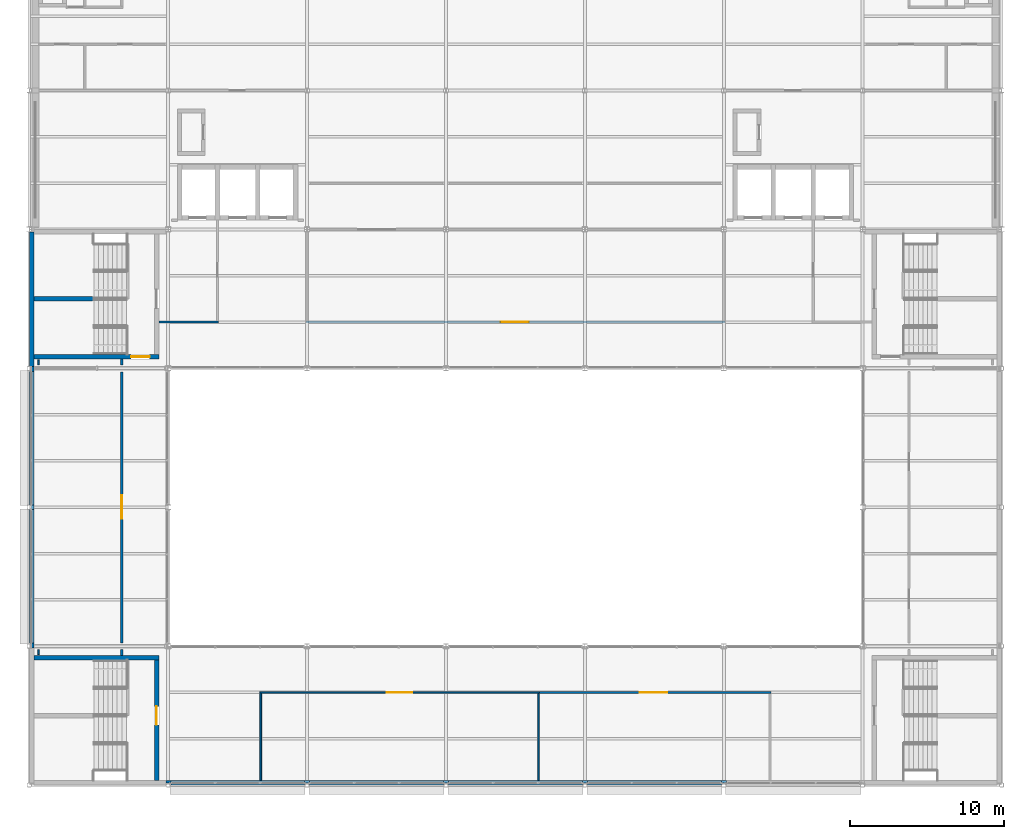
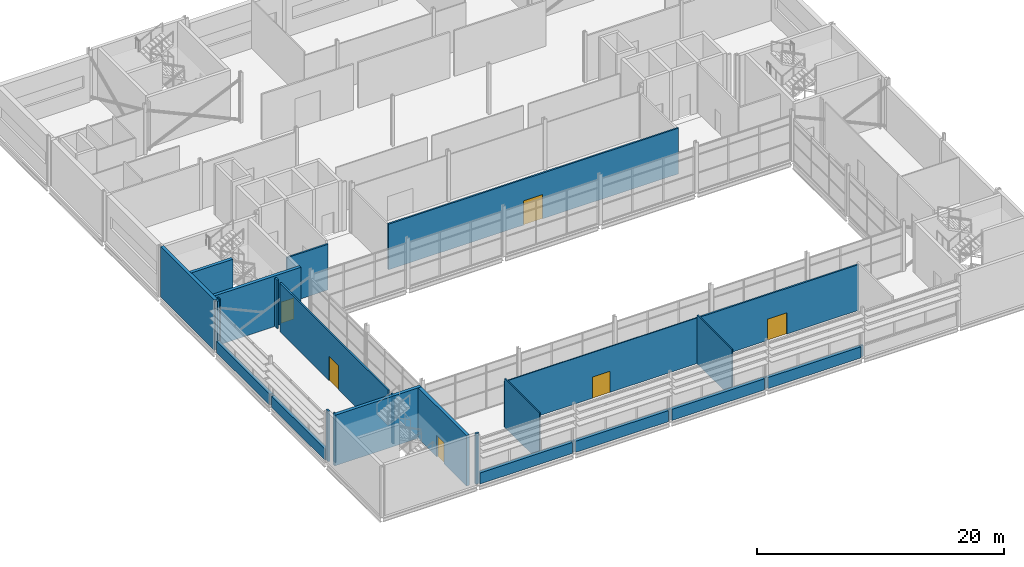
# One storey, part 48 of 61: 30 walls, 6 doors, 6 openings.
"""IFC4 building model written with IfcOpenShell, lengths in metres."""

from ifc_helpers import new_model, si_unit, direction, frame, frame_2d, origin, place, context, subcontext, project, spatial, rectangle, extrude, material, layer, layer_set, type_object, element, fill, save


model = new_model("IFC4")

# Units and contexts
model_context = context("Model", 3, precision=1e-05, world=origin(), true_north=direction((0.0, 1.0)))
body_context = subcontext(model_context, "Body", "Model", "MODEL_VIEW")
ifc_project = project(units=[si_unit("LENGTHUNIT", "METRE"), si_unit("AREAUNIT", "SQUARE_METRE"), si_unit("VOLUMEUNIT", "CUBIC_METRE"), si_unit("PLANEANGLEUNIT", "RADIAN"), si_unit("MASSUNIT", "GRAM", prefix="KILO")], contexts=[model_context])

# Site, building, storey
site_placement = place(None, origin())
site = spatial("IfcSite", under=ifc_project, at=site_placement, CompositionType="ELEMENT")
building_placement = place(site_placement, origin())
building = spatial("IfcBuilding", under=site, at=building_placement, Name="Shorebreak Coast Museum", CompositionType="ELEMENT")
storey_placement = place(building_placement, frame((0.0, 0.0, 26.0)))
storey = spatial("IfcBuildingStorey", under=building, at=storey_placement, Name="L04", CompositionType="ELEMENT", Elevation=26.0)

# Walls
ifc_material_1 = material(Name="Concrete N50 (50 MPa)", Category="concrete")
ifc_layer_1 = layer(ifc_material_1, 0.175048828125)
ifc_layer_set_1 = layer_set([ifc_layer_1], Name="Concrete N50 (50 MPa)")
wall_type_1 = type_object("IfcWallType", Name="Column closure panel 175", PredefinedType="SOLIDWALL", material=ifc_layer_set_1)
wall_1_placement = place(storey_placement, frame((62.875, 54.21240234375, 0.0), z_axis=(0.0, 0.0, 1.0), x_axis=(1.0, 0.0, 0.0)))
element("IfcWall", 1, at=wall_1_placement, inside=storey, type_object=wall_type_1, Name="Column closure panel L04 S 8G", PredefinedType="SOLIDWALL", context=body_context, shape_type="SweptSolid", body=[
    extrude(rectangle(XDim=0.322021484375, YDim=0.175048828125, at=frame_2d((0.1611328125, 0.0))), origin(), (0.0, 0.0, 1.0), 5.0),
])
for number, where, z_axis, x_axis, name in (
    (2, (71.839111328125, 54.21240234375, 0.0), (0.0, 0.0, 1.0), (1.0, 0.0, 0.0), "Column closure panel L04 S 9G"),
    (3, (80.839111328125, 54.21240234375, 0.0), (0.0, 0.0, 1.0), (1.0, 0.0, 0.0), "Column closure panel L04 S 10G"),
    (4, (89.839111328125, 54.21240234375, 0.0), (0.0, 0.0, 1.0), (1.0, 0.0, 0.0), "Column closure panel L04 S 11G"),
    (5, (98.839111328125, 54.21240234375, 0.0), (0.0, 0.0, 1.0), (1.0, 0.0, 0.0), "Column closure panel L04 S 12G"),
):
    element("IfcWall", number, at=place(storey_placement, frame(where, z_axis=z_axis, x_axis=x_axis)), inside=storey, type_object=wall_type_1, Name=name, PredefinedType="SOLIDWALL", context=body_context, shape_type="SweptSolid", body=[
        extrude(rectangle(XDim=0.32177734375, YDim=0.175048828125, at=frame_2d((0.160888671875, 0.0))), origin(), (0.0, 0.0, 1.0), 1.10009765625),
    ])
wall_2_placement = place(storey_placement, frame((54.21240234375, 62.875, 0.0), z_axis=(0.0, 0.0, 1.0), x_axis=(0.0, 1.0, 0.0)))
element("IfcWall", 6, at=wall_2_placement, inside=storey, type_object=wall_type_1, Name="Column closure panel L04 W 7H", PredefinedType="SOLIDWALL", context=body_context, shape_type="SweptSolid", body=[
    extrude(rectangle(XDim=0.322021484375, YDim=0.175048828125, at=frame_2d((0.1611328125, 0.0))), origin(), (0.0, 0.0, 1.0), 5.0),
])
wall_3_placement = place(storey_placement, frame((54.21240234375, 71.839111328125, 0.0), z_axis=(0.0, 0.0, 1.0), x_axis=(0.0, 1.0, 0.0)))
element("IfcWall", 7, at=wall_3_placement, inside=storey, type_object=wall_type_1, Name="Column closure panel L04 W 7J", PredefinedType="SOLIDWALL", context=body_context, shape_type="SweptSolid", body=[
    extrude(rectangle(XDim=0.32177734375, YDim=0.175048828125, at=frame_2d((0.160888671875, 0.0))), origin(), (0.0, 0.0, 1.0), 1.10009765625),
])
wall_4_placement = place(storey_placement, frame((54.21240234375, 80.802978515625, 0.0), z_axis=(0.0, 0.0, 1.0), x_axis=(0.0, 1.0, 0.0)))
element("IfcWall", 8, at=wall_4_placement, inside=storey, type_object=wall_type_1, Name="Column closure panel L04 W 7K", PredefinedType="SOLIDWALL", context=body_context, shape_type="SweptSolid", body=[
    extrude(rectangle(XDim=0.322021484375, YDim=0.175048828125, at=frame_2d((0.1611328125, 0.0))), origin(), (0.0, 0.0, 1.0), 5.0),
])

# Wall, opening, door
ifc_material_2 = material(Name="Plasterboard on steel stud", Category="steel")
ifc_layer_2 = layer(ifc_material_2, 0.14990234375)
ifc_layer_set_2 = layer_set([ifc_layer_2], Name="Plasterboard on steel stud")
wall_type_2 = type_object("IfcWallType", Name="Fire partition 150", PredefinedType="PARTITIONING", material=ifc_layer_set_2)
wall_5_placement = place(storey_placement, frame((86.949951171875, 60.0, 0.0), z_axis=(0.0, 0.0, 1.0), x_axis=(1.0, 0.0, 0.0)))
wall_5 = element("IfcWall", 9, at=wall_5_placement, inside=storey, type_object=wall_type_2, Name="Partition L04-002", PredefinedType="PARTITIONING", context=body_context, shape_type="SweptSolid", body=[
    extrude(rectangle(XDim=15.125, YDim=0.14990234375, at=frame_2d((7.5625, 0.0))), origin(), (0.0, 0.0, 1.0), 4.52099609375),
])
opening_1_placement = place(wall_5_placement, frame((6.60009765625, 0.0, 0.0)))
opening_1 = element("IfcOpeningElement", 10, at=opening_1_placement, cuts=wall_5, Name="Opening D4004", PredefinedType="OPENING", context=body_context, shape_type="SweptSolid", body=[
    extrude(rectangle(XDim=1.800048828125, YDim=2.10009765625, at=frame_2d((0.89990234375, 1.050048828125))), frame((0.0, 0.0849609375, 0.0), z_axis=(0.0, -1.0, 0.0), x_axis=(1.0, 0.0, 0.0)), (0.0, 0.0, 1.0), 0.169921875),
])
ifc_material_3 = material(Name="Steel", Category="steel")
door_type_1 = type_object("IfcDoorType", Name="Fire door 1800x2100 60", OperationType="DOUBLE_DOOR_SINGLE_SWING", PredefinedType="DOOR", material=ifc_material_3)
door_1_placement = place(opening_1_placement, origin())
door_1 = element("IfcDoor", 11, at=door_1_placement, inside=storey, type_object=door_type_1, Name="Door D4004 Conservation Laboratory Viewing Room", OperationType="DOUBLE_DOOR_SINGLE_SWING", OverallHeight=2.10009765625, OverallWidth=1.800048828125, PredefinedType="DOOR", context=body_context, shape_type="SweptSolid", body=[
    extrude(rectangle(XDim=1.800048828125, YDim=2.10009765625, at=frame_2d((0.89990234375, 1.050048828125))), frame((0.0, 0.02490234375, 0.0), z_axis=(0.0, -1.0, 0.0), x_axis=(1.0, 0.0, 0.0)), (0.0, 0.0, 1.0), 0.050048828125),
])
fill(opening_1, door_1)

# Wall
wall_6_placement = place(storey_placement, frame((62.39990234375, 84.0, 0.0), z_axis=(0.0, 0.0, 1.0), x_axis=(1.0, 0.0, 0.0)))
element("IfcWall", 12, at=wall_6_placement, inside=storey, type_object=wall_type_2, Name="Partition L04-004", PredefinedType="PARTITIONING", context=body_context, shape_type="SweptSolid", body=[
    extrude(rectangle(XDim=3.875, YDim=0.14990234375, at=frame_2d((1.9375, 0.0))), origin(), (0.0, 0.0, 1.0), 4.52099609375),
])

# Wall, opening, door
wall_7_placement = place(storey_placement, frame((71.925048828125, 84.0, 0.0), z_axis=(0.0, 0.0, 1.0), x_axis=(1.0, 0.0, 0.0)))
wall_7 = element("IfcWall", 13, at=wall_7_placement, inside=storey, type_object=wall_type_2, Name="Partition L04-005", PredefinedType="PARTITIONING", context=body_context, shape_type="SweptSolid", body=[
    extrude(rectangle(XDim=27.14990234375, YDim=0.14990234375, at=frame_2d((13.574951171875, 0.0))), origin(), (0.0, 0.0, 1.0), 4.52099609375),
])
opening_2_placement = place(wall_7_placement, frame((12.625, 0.0, 0.0)))
opening_2 = element("IfcOpeningElement", 14, at=opening_2_placement, cuts=wall_7, Name="Opening D4005", PredefinedType="OPENING", context=body_context, shape_type="SweptSolid", body=[
    extrude(rectangle(XDim=1.800048828125, YDim=2.39990234375, at=frame_2d((0.89990234375, 1.199951171875))), frame((0.0, 0.0849609375, 0.0), z_axis=(0.0, -1.0, 0.0), x_axis=(1.0, 0.0, 0.0)), (0.0, 0.0, 1.0), 0.169921875),
])
ifc_material_4 = material(Name="Steel", Category="steel")
door_type_2 = type_object("IfcDoorType", Name="Fire door 1800x2400 60", OperationType="DOUBLE_DOOR_SINGLE_SWING", PredefinedType="DOOR", material=ifc_material_4)
door_2_placement = place(opening_2_placement, origin())
door_2 = element("IfcDoor", 15, at=door_2_placement, inside=storey, type_object=door_type_2, Name="Door D4005 Permanent Gallery 4.01", OperationType="DOUBLE_DOOR_SINGLE_SWING", OverallHeight=2.39990234375, OverallWidth=1.800048828125, PredefinedType="DOOR", context=body_context, shape_type="SweptSolid", body=[
    extrude(rectangle(XDim=1.800048828125, YDim=2.39990234375, at=frame_2d((0.89990234375, 1.199951171875))), frame((0.0, 0.02490234375, 0.0), z_axis=(0.0, -1.0, 0.0), x_axis=(1.0, 0.0, 0.0)), (0.0, 0.0, 1.0), 0.050048828125),
])
fill(opening_2, door_2)

# Wall
wall_8_placement = place(storey_placement, frame((60.0, 62.39990234375, 0.0), z_axis=(0.0, 0.0, 1.0), x_axis=(0.0, 1.0, 0.0)))
element("IfcWall", 16, at=wall_8_placement, inside=storey, type_object=wall_type_2, Name="Partition L04-037", PredefinedType="PARTITIONING", context=body_context, shape_type="SweptSolid", body=[
    extrude(rectangle(XDim=0.380126953125, YDim=0.14990234375, at=frame_2d((0.18994140625, 0.0))), origin(), (0.0, 0.0, 1.0), 4.824951171875),
])

# Wall, opening, door
wall_9_placement = place(storey_placement, frame((60.0, 63.219970703125, 0.0), z_axis=(0.0, 0.0, 1.0), x_axis=(0.0, 1.0, 0.0)))
wall_9 = element("IfcWall", 17, at=wall_9_placement, inside=storey, type_object=wall_type_2, Name="Partition L04-038", PredefinedType="PARTITIONING", context=body_context, shape_type="SweptSolid", body=[
    extrude(rectangle(XDim=17.56005859375, YDim=0.14990234375, at=frame_2d((8.780029296875, 0.0))), origin(), (0.0, 0.0, 1.0), 4.824951171875),
])
opening_3_placement = place(wall_9_placement, frame((8.050048828125, 0.0, 0.0)))
opening_3 = element("IfcOpeningElement", 18, at=opening_3_placement, cuts=wall_9, Name="Opening D4006", PredefinedType="OPENING", context=body_context, shape_type="SweptSolid", body=[
    extrude(rectangle(XDim=1.5, YDim=2.39990234375, at=frame_2d((0.75, 1.199951171875))), frame((0.0, 0.0849609375, 0.0), z_axis=(0.0, -1.0, 0.0), x_axis=(1.0, 0.0, 0.0)), (0.0, 0.0, 1.0), 0.169921875),
])
ifc_material_5 = material(Name="Steel", Category="steel")
door_type_3 = type_object("IfcDoorType", Name="Fire door 1500x2400 60", OperationType="DOUBLE_DOOR_SINGLE_SWING", PredefinedType="DOOR", material=ifc_material_5)
door_3_placement = place(opening_3_placement, origin())
door_3 = element("IfcDoor", 19, at=door_3_placement, inside=storey, type_object=door_type_3, Name="Door D4006 Sculpture Gallery 4.01", OperationType="DOUBLE_DOOR_SINGLE_SWING", OverallHeight=2.39990234375, OverallWidth=1.5, PredefinedType="DOOR", context=body_context, shape_type="SweptSolid", body=[
    extrude(rectangle(XDim=1.5, YDim=2.39990234375, at=frame_2d((0.75, 1.199951171875))), frame((0.0, 0.02490234375, 0.0), z_axis=(0.0, -1.0, 0.0), x_axis=(1.0, 0.0, 0.0)), (0.0, 0.0, 1.0), 0.050048828125),
])
fill(opening_3, door_3)

# Wall
wall_10_placement = place(storey_placement, frame((60.0, 81.219970703125, 0.0), z_axis=(0.0, 0.0, 1.0), x_axis=(0.0, 1.0, 0.0)))
element("IfcWall", 20, at=wall_10_placement, inside=storey, type_object=wall_type_2, Name="Partition L04-039", PredefinedType="PARTITIONING", context=body_context, shape_type="SweptSolid", body=[
    extrude(rectangle(XDim=0.380126953125, YDim=0.14990234375, at=frame_2d((0.18994140625, 0.0))), origin(), (0.0, 0.0, 1.0), 4.824951171875),
])

# Wall, opening, door
ifc_material_6 = material(Name="Plasterboard on steel stud", Category="steel")
ifc_layer_3 = layer(ifc_material_6, 0.10009765625)
ifc_layer_set_3 = layer_set([ifc_layer_3], Name="Plasterboard on steel stud")
wall_type_3 = type_object("IfcWallType", Name="Partition 100", PredefinedType="PARTITIONING", material=ifc_layer_set_3)
wall_11_placement = place(storey_placement, frame((68.949951171875, 60.0, 0.0), z_axis=(0.0, 0.0, 1.0), x_axis=(1.0, 0.0, 0.0)))
wall_11 = element("IfcWall", 21, at=wall_11_placement, inside=storey, type_object=wall_type_3, Name="Partition L04-001", PredefinedType="PARTITIONING", context=body_context, shape_type="SweptSolid", body=[
    extrude(rectangle(XDim=18.10009765625, YDim=0.10009765625, at=frame_2d((9.050048828125, 0.0))), origin(), (0.0, 0.0, 1.0), 4.52099609375),
])
opening_4_placement = place(wall_11_placement, frame((8.199951171875, 0.0, 0.0)))
opening_4 = element("IfcOpeningElement", 22, at=opening_4_placement, cuts=wall_11, Name="Opening D4003", PredefinedType="OPENING", context=body_context, shape_type="SweptSolid", body=[
    extrude(rectangle(XDim=1.64990234375, YDim=2.10009765625, at=frame_2d((0.824951171875, 1.050048828125))), frame((0.0, 0.06005859375, 0.0), z_axis=(0.0, -1.0, 0.0), x_axis=(1.0, 0.0, 0.0)), (0.0, 0.0, 1.0), 0.1201171875),
])
ifc_material_7 = material(Name="Timber", Category="wood")
door_type_4 = type_object("IfcDoorType", Name="Interior door 1650x2100", OperationType="DOUBLE_DOOR_SINGLE_SWING", PredefinedType="DOOR", material=ifc_material_7)
door_4_placement = place(opening_4_placement, origin())
door_4 = element("IfcDoor", 23, at=door_4_placement, inside=storey, type_object=door_type_4, Name="Door D4003 Learning Studio 4.01", OperationType="DOUBLE_DOOR_SINGLE_SWING", OverallHeight=2.10009765625, OverallWidth=1.64990234375, PredefinedType="DOOR", context=body_context, shape_type="SweptSolid", body=[
    extrude(rectangle(XDim=1.64990234375, YDim=2.10009765625, at=frame_2d((0.824951171875, 1.050048828125))), frame((0.0, 0.02490234375, 0.0), z_axis=(0.0, -1.0, 0.0), x_axis=(1.0, 0.0, 0.0)), (0.0, 0.0, 1.0), 0.050048828125),
])
fill(opening_4, door_4)

# Walls
for number, where, z_axis, x_axis, name in (
    (24, (54.60009765625, 62.449951171875, 0.0), (0.0, 0.0, 1.0), (0.0, 1.0, 0.0), "Partition L04-033"),
    (25, (54.60009765625, 81.219970703125, 0.0), (0.0, 0.0, 1.0), (0.0, 1.0, 0.0), "Partition L04-034"),
):
    element("IfcWall", number, at=place(storey_placement, frame(where, z_axis=z_axis, x_axis=x_axis)), inside=storey, type_object=wall_type_3, Name=name, PredefinedType="PARTITIONING", context=body_context, shape_type="SweptSolid", body=[
        extrude(rectangle(XDim=0.330078125, YDim=0.10009765625, at=frame_2d((0.1650390625, 0.0))), origin(), (0.0, 0.0, 1.0), 4.824951171875),
    ])
wall_12_placement = place(storey_placement, frame((69.0, 54.300048828125, 0.0), z_axis=(0.0, 0.0, 1.0), x_axis=(0.0, 1.0, 0.0)))
element("IfcWall", 26, at=wall_12_placement, inside=storey, type_object=wall_type_3, Name="Partition L04-043", PredefinedType="PARTITIONING", context=body_context, shape_type="SweptSolid", body=[
    extrude(rectangle(XDim=5.64990234375, YDim=0.10009765625, at=frame_2d((2.824951171875, 0.0))), origin(), (0.0, 0.0, 1.0), 4.824951171875),
])
wall_13_placement = place(storey_placement, frame((87.0, 54.300048828125, 0.0), z_axis=(0.0, 0.0, 1.0), x_axis=(0.0, 1.0, 0.0)))
element("IfcWall", 27, at=wall_13_placement, inside=storey, type_object=wall_type_3, Name="Partition L04-046", PredefinedType="PARTITIONING", context=body_context, shape_type="SweptSolid", body=[
    extrude(rectangle(XDim=5.625, YDim=0.10009765625, at=frame_2d((2.8125, 0.0))), origin(), (0.0, 0.0, 1.0), 4.824951171875),
])
ifc_material_8 = material(Name="Concrete N50 (50 MPa)", Category="concrete")
ifc_layer_4 = layer(ifc_material_8, 0.300048828125)
ifc_layer_set_4 = layer_set([ifc_layer_4], Name="Concrete N50 (50 MPa)")
wall_type_4 = type_object("IfcWallType", Name="Precast board-marked panel 300", PredefinedType="SOLIDWALL", material=ifc_layer_set_4)
wall_14_placement = place(storey_placement, frame((63.197021484375, 54.14990234375, 0.0), z_axis=(0.0, 0.0, 1.0), x_axis=(1.0, 0.0, 0.0)))
element("IfcWall", 28, at=wall_14_placement, inside=storey, type_object=wall_type_4, Name="External wall L04 S 8G", PredefinedType="SOLIDWALL", context=body_context, shape_type="SweptSolid", body=[
    extrude(rectangle(XDim=8.64208984375, YDim=0.300048828125, at=frame_2d((4.321044921875, 0.0))), origin(), (0.0, 0.0, 1.0), 1.10009765625),
])
for number, where, z_axis, x_axis, name in (
    (29, (72.160888671875, 54.14990234375, 0.0), (0.0, 0.0, 1.0), (1.0, 0.0, 0.0), "External wall L04 S 9G"),
    (30, (81.160888671875, 54.14990234375, 0.0), (0.0, 0.0, 1.0), (1.0, 0.0, 0.0), "External wall L04 S 10G"),
    (31, (90.160888671875, 54.14990234375, 0.0), (0.0, 0.0, 1.0), (1.0, 0.0, 0.0), "External wall L04 S 11G"),
):
    element("IfcWall", number, at=place(storey_placement, frame(where, z_axis=z_axis, x_axis=x_axis)), inside=storey, type_object=wall_type_4, Name=name, PredefinedType="SOLIDWALL", context=body_context, shape_type="SweptSolid", body=[
        extrude(rectangle(XDim=8.67822265625, YDim=0.300048828125, at=frame_2d((4.339111328125, 0.0))), origin(), (0.0, 0.0, 1.0), 1.10009765625),
    ])
for number, where, z_axis, x_axis, name in (
    (32, (54.14990234375, 63.197021484375, 0.0), (0.0, 0.0, 1.0), (0.0, 1.0, 0.0), "External wall L04 W 7H"),
    (33, (54.14990234375, 72.160888671875, 0.0), (0.0, 0.0, 1.0), (0.0, 1.0, 0.0), "External wall L04 W 7J"),
):
    element("IfcWall", number, at=place(storey_placement, frame(where, z_axis=z_axis, x_axis=x_axis)), inside=storey, type_object=wall_type_4, Name=name, PredefinedType="SOLIDWALL", context=body_context, shape_type="SweptSolid", body=[
        extrude(rectangle(XDim=8.64208984375, YDim=0.300048828125, at=frame_2d((4.321044921875, 0.0))), origin(), (0.0, 0.0, 1.0), 1.10009765625),
    ])
ifc_material_9 = material(Name="Concrete N50 (50 MPa)", Category="concrete")
ifc_layer_5 = layer(ifc_material_9, 0.300048828125)
ifc_layer_set_5 = layer_set([ifc_layer_5], Name="Concrete N50 (50 MPa)")
wall_type_5 = type_object("IfcWallType", Name="RC wall 300", PredefinedType="SHEAR", material=ifc_layer_set_5)
wall_15_placement = place(storey_placement, frame((54.300048828125, 62.25, 0.0), z_axis=(0.0, 0.0, 1.0), x_axis=(1.0, 0.0, 0.0)))
element("IfcWall", 34, at=wall_15_placement, inside=storey, type_object=wall_type_5, Name="Stair core wall ST01 L04 N", PredefinedType="SHEAR", context=body_context, shape_type="SweptSolid", body=[
    extrude(rectangle(XDim=8.099853515625, YDim=0.300048828125, at=frame_2d((4.0498046875, 0.0))), origin(), (0.0, 0.0, 1.0), 5.0),
])

# Wall, opening, door
wall_16_placement = place(storey_placement, frame((62.25, 54.300048828125, 0.0), z_axis=(0.0, 0.0, 1.0), x_axis=(0.0, 1.0, 0.0)))
wall_16 = element("IfcWall", 35, at=wall_16_placement, inside=storey, type_object=wall_type_5, Name="Stair core wall ST01 L04 E", PredefinedType="SHEAR", context=body_context, shape_type="SweptSolid", body=[
    extrude(rectangle(XDim=7.800048828125, YDim=0.300048828125, at=frame_2d((3.89990234375, 0.0))), origin(), (0.0, 0.0, 1.0), 5.0),
])
opening_5_placement = place(wall_16_placement, frame((3.60009765625, 0.0, 0.0)))
opening_5 = element("IfcOpeningElement", 36, at=opening_5_placement, cuts=wall_16, Name="Opening D4801", PredefinedType="OPENING", context=body_context, shape_type="SweptSolid", body=[
    extrude(rectangle(XDim=1.199951171875, YDim=2.10009765625, at=frame_2d((0.60009765625, 1.050048828125))), frame((0.0, 0.159912109375, 0.0), z_axis=(0.0, -1.0, 0.0), x_axis=(1.0, 0.0, 0.0)), (0.0, 0.0, 1.0), 0.320068359375),
])
ifc_material_10 = material(Name="Steel Grade 300", Category="steel")
door_type_5 = type_object("IfcDoorType", Name="Fire door 1200x2100", OperationType="SINGLE_SWING_LEFT", PredefinedType="DOOR", material=ifc_material_10)
door_5_placement = place(opening_5_placement, origin())
door_5 = element("IfcDoor", 37, at=door_5_placement, inside=storey, type_object=door_type_5, Name="Stair door ST01 L04", OperationType="SINGLE_SWING_LEFT", OverallHeight=2.10009765625, OverallWidth=1.199951171875, PredefinedType="DOOR", context=body_context, shape_type="SweptSolid", body=[
    extrude(rectangle(XDim=1.199951171875, YDim=2.10009765625, at=frame_2d((0.60009765625, 1.050048828125))), frame((0.0, 0.02490234375, 0.0), z_axis=(0.0, -1.0, 0.0), x_axis=(1.0, 0.0, 0.0)), (0.0, 0.0, 1.0), 0.050048828125),
])
fill(opening_5, door_5)

wall_17_placement = place(storey_placement, frame((54.300048828125, 81.75, 0.0), z_axis=(0.0, 0.0, 1.0), x_axis=(1.0, 0.0, 0.0)))
wall_17 = element("IfcWall", 38, at=wall_17_placement, inside=storey, type_object=wall_type_5, Name="Stair core wall ST03 L04 S", PredefinedType="SHEAR", context=body_context, shape_type="SweptSolid", body=[
    extrude(rectangle(XDim=8.099853515625, YDim=0.300048828125, at=frame_2d((4.0498046875, 0.0))), origin(), (0.0, 0.0, 1.0), 5.0),
])
opening_6_placement = place(wall_17_placement, frame((6.300048828125, 0.0, 0.0)))
opening_6 = element("IfcOpeningElement", 39, at=opening_6_placement, cuts=wall_17, Name="Opening D4703", PredefinedType="OPENING", context=body_context, shape_type="SweptSolid", body=[
    extrude(rectangle(XDim=1.199951171875, YDim=2.10009765625, at=frame_2d((0.60009765625, 1.050048828125))), frame((0.0, 0.159912109375, 0.0), z_axis=(0.0, -1.0, 0.0), x_axis=(1.0, 0.0, 0.0)), (0.0, 0.0, 1.0), 0.320068359375),
])
door_6_placement = place(opening_6_placement, origin())
door_6 = element("IfcDoor", 40, at=door_6_placement, inside=storey, type_object=door_type_5, Name="Stair door ST03 L04 south", OperationType="SINGLE_SWING_LEFT", OverallHeight=2.10009765625, OverallWidth=1.199951171875, PredefinedType="DOOR", context=body_context, shape_type="SweptSolid", body=[
    extrude(rectangle(XDim=1.199951171875, YDim=2.10009765625, at=frame_2d((0.60009765625, 1.050048828125))), frame((0.0, 0.02490234375, 0.0), z_axis=(0.0, -1.0, 0.0), x_axis=(1.0, 0.0, 0.0)), (0.0, 0.0, 1.0), 0.050048828125),
])
fill(opening_6, door_6)

# Walls
wall_18_placement = place(storey_placement, frame((54.14990234375, 81.125, 0.0), z_axis=(0.0, 0.0, 1.0), x_axis=(0.0, 1.0, 0.0)))
element("IfcWall", 41, at=wall_18_placement, inside=storey, type_object=wall_type_5, Name="Stair core wall ST03 L04 W", PredefinedType="SHEAR", context=body_context, shape_type="SweptSolid", body=[
    extrude(rectangle(XDim=8.71142578125, YDim=0.300048828125, at=frame_2d((4.355712890625, 0.0))), origin(), (0.0, 0.0, 1.0), 5.0),
])
wall_19_placement = place(storey_placement, frame((58.199951171875, 85.5, 0.0), z_axis=(0.0, 0.0, 1.0), x_axis=(-1.0, 0.0, 0.0)))
element("IfcWall", 42, at=wall_19_placement, inside=storey, type_object=wall_type_5, Name="Stair spine wall ST03 L04", PredefinedType="SHEAR", context=body_context, shape_type="SweptSolid", body=[
    extrude(rectangle(XDim=3.89990234375, YDim=0.300048828125, at=frame_2d((1.949951171875, 0.0))), origin(), (0.0, 0.0, 1.0), 5.0),
])

save(model, "model.ifc")
